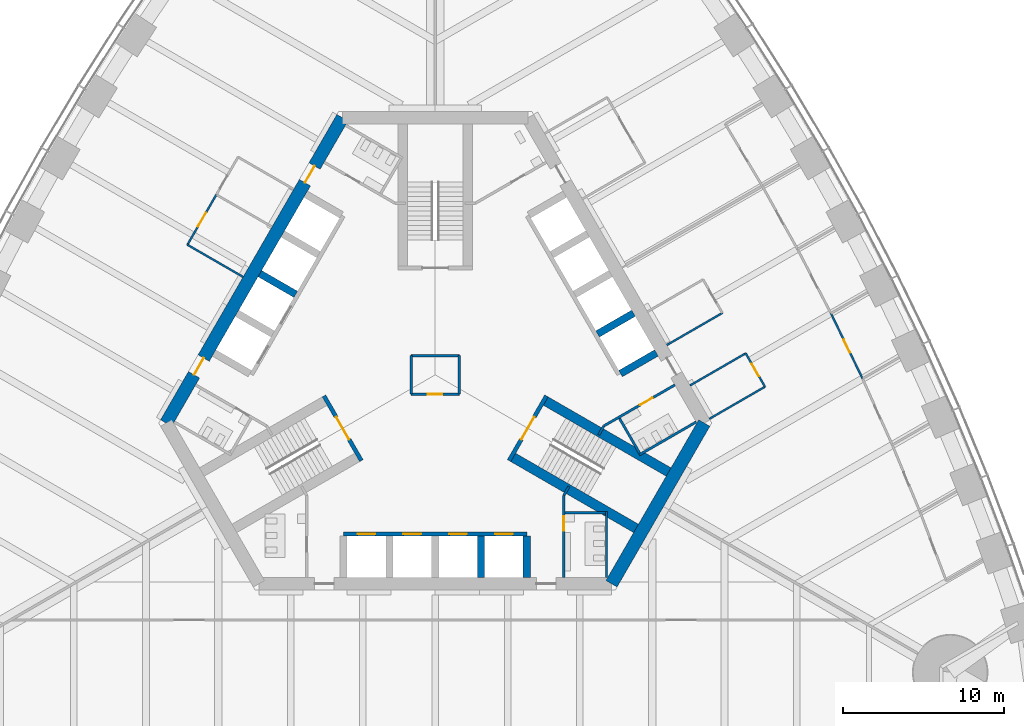
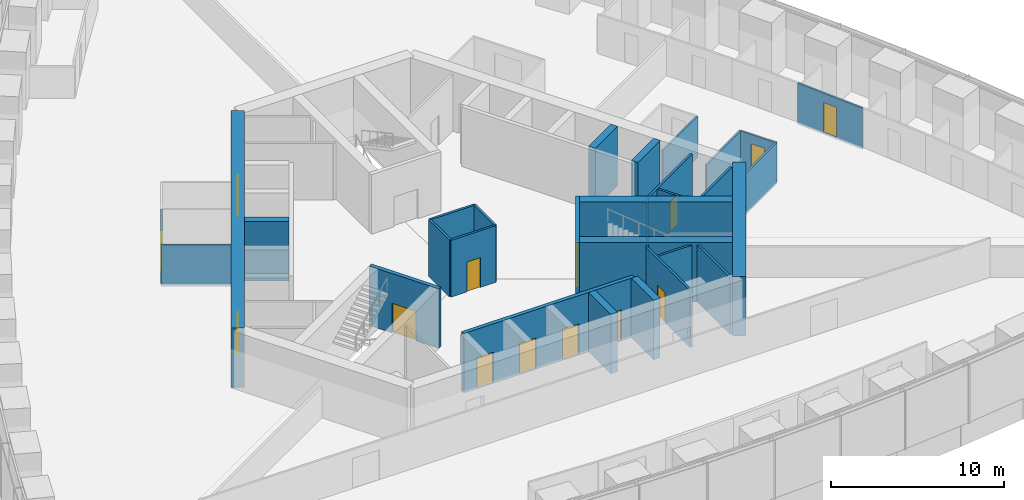
# One storey, part 11 of 19: 31 walls, 14 doors, 14 openings.
"""IFC4 building model written with IfcOpenShell, lengths in metres."""

from ifc_helpers import new_model, si_unit, direction, frame, frame_2d, origin, place, context, subcontext, project, spatial, rectangle, extrude, material, layer, layer_set, type_object, element, fill, save


model = new_model("IFC4")

# Units and contexts
model_context = context("Model", 3, precision=1e-05, world=origin(), true_north=direction((0.0, 1.0)))
body_context = subcontext(model_context, "Body", "Model", "MODEL_VIEW")
ifc_project = project(units=[si_unit("LENGTHUNIT", "METRE"), si_unit("AREAUNIT", "SQUARE_METRE"), si_unit("VOLUMEUNIT", "CUBIC_METRE"), si_unit("PLANEANGLEUNIT", "RADIAN"), si_unit("MASSUNIT", "GRAM", prefix="KILO")], contexts=[model_context])

# Site, building, storey
site_placement = place(None, origin())
site = spatial("IfcSite", under=ifc_project, at=site_placement, CompositionType="ELEMENT")
building_placement = place(site_placement, origin())
building = spatial("IfcBuilding", under=site, at=building_placement, Name="Trefoil Bronze Tower", CompositionType="ELEMENT")
storey_placement = place(building_placement, frame((0.0, 0.0, 83.699951171875)))
storey = spatial("IfcBuildingStorey", under=building, at=storey_placement, Name="L19", CompositionType="ELEMENT", Elevation=83.699951171875)

# Wall
ifc_material_1 = material(Name="Concrete B80", Category="concrete")
ifc_layer_1 = layer(ifc_material_1, 0.800048828125)
ifc_layer_set_1 = layer_set([ifc_layer_1], Name="Core wall 800")
wall_type_1 = type_object("IfcWallType", Name="Core wall 800", PredefinedType="SHEAR", material=ifc_layer_set_1)
wall_1_placement = place(storey_placement, frame((10.9697265625, -13.0, 0.0), z_axis=(0.0, 0.0, 1.0), x_axis=(0.499995765644, 0.866027848477, 0.0)))
element("IfcWall", 1, at=wall_1_placement, inside=storey, type_object=wall_type_1, Name="Core short wall 1 L19", PredefinedType="SHEAR", context=body_context, shape_type="SweptSolid", body=[
    extrude(rectangle(XDim=11.546875, YDim=0.800048828125, at=frame_2d((5.7734375, 0.0))), origin(), (0.0, 0.0, 1.0), 4.199951171875),
])

# Wall, openings, doors
wall_2_placement = place(storey_placement, frame((-5.7734375, 16.0, 0.0), z_axis=(0.0, 0.0, 1.0), x_axis=(-0.500002442456, -0.866023993627, 0.0)))
wall_2 = element("IfcWall", 2, at=wall_2_placement, inside=storey, type_object=wall_type_1, Name="Core long wall 3 L19", PredefinedType="SHEAR", context=body_context, shape_type="SweptSolid", body=[
    extrude(rectangle(XDim=21.939453125, YDim=0.800048828125, at=frame_2d((10.9697265625, 0.0))), origin(), (0.0, 0.0, 1.0), 4.199951171875),
])
opening_1_placement = place(wall_2_placement, frame((17.269775390625, 0.0, 0.0)))
opening_1 = element("IfcOpeningElement", 3, at=opening_1_placement, cuts=wall_2, Name="Opening D2", PredefinedType="OPENING", context=body_context, shape_type="SweptSolid", body=[
    extrude(rectangle(XDim=1.199951171875, YDim=2.10009765625, at=frame_2d((0.60009765625, 1.050048828125))), frame((0.0, 0.409912109375, 0.0), z_axis=(0.0, -1.0, 0.0), x_axis=(1.0, 0.0, 0.0)), (0.0, 0.0, 1.0), 0.820068359375),
])
opening_2_placement = place(wall_2_placement, frame((3.4697265625, 0.0, 0.0)))
opening_2 = element("IfcOpeningElement", 4, at=opening_2_placement, cuts=wall_2, Name="Opening D2", PredefinedType="OPENING", context=body_context, shape_type="SweptSolid", body=[
    extrude(rectangle(XDim=1.199951171875, YDim=2.10009765625, at=frame_2d((0.60009765625, 1.050048828125))), frame((0.0, 0.409912109375, 0.0), z_axis=(0.0, -1.0, 0.0), x_axis=(1.0, 0.0, 0.0)), (0.0, 0.0, 1.0), 0.820068359375),
])
ifc_material_2 = material(Name="Steel door", Category="steel")
door_type_1 = type_object("IfcDoorType", Name="Lobby door 1200", OperationType="SINGLE_SWING_RIGHT", PredefinedType="DOOR", material=ifc_material_2)
door_1_placement = place(opening_1_placement, origin())
door_1 = element("IfcDoor", 5, at=door_1_placement, inside=storey, type_object=door_type_1, Name="Lobby door F3+ L19", OperationType="SINGLE_SWING_RIGHT", OverallHeight=2.10009765625, OverallWidth=1.199951171875, PredefinedType="DOOR", context=body_context, shape_type="SweptSolid", body=[
    extrude(rectangle(XDim=1.199951171875, YDim=2.10009765625, at=frame_2d((0.60009765625, 1.050048828125))), frame((0.0, 0.02490234375, 0.0), z_axis=(0.0, -1.0, 0.0), x_axis=(1.0, 0.0, 0.0)), (0.0, 0.0, 1.0), 0.050048828125),
])
fill(opening_1, door_1)
door_2_placement = place(opening_2_placement, origin())
door_2 = element("IfcDoor", 6, at=door_2_placement, inside=storey, type_object=door_type_1, Name="Lobby door F3- L19", OperationType="SINGLE_SWING_LEFT", OverallHeight=2.10009765625, OverallWidth=1.199951171875, PredefinedType="DOOR", context=body_context, shape_type="SweptSolid", body=[
    extrude(rectangle(XDim=1.199951171875, YDim=2.10009765625, at=frame_2d((0.60009765625, 1.050048828125))), frame((0.0, 0.02490234375, 0.0), z_axis=(0.0, -1.0, 0.0), x_axis=(1.0, 0.0, 0.0)), (0.0, 0.0, 1.0), 0.050048828125),
])
fill(opening_2, door_2)

# Wall, opening, door
ifc_material_3 = material(Name="Glazed partition", Category="glass")
ifc_layer_2 = layer(ifc_material_3, 0.1201171875)
ifc_layer_set_2 = layer_set([ifc_layer_2], Name="Glazed partition 120")
wall_type_2 = type_object("IfcWallType", Name="Glazed partition 120", PredefinedType="PARTITIONING", material=ifc_layer_set_2)
wall_3_placement = place(storey_placement, frame((20.518798828125, -0.73974609375, 0.0), z_axis=(0.0, 0.0, 1.0), x_axis=(-0.499957262057, 0.866050077142, 0.0)))
wall_3 = element("IfcWall", 7, at=wall_3_placement, inside=storey, type_object=wall_type_2, Name="Partition F2 L19", PredefinedType="PARTITIONING", context=body_context, shape_type="SweptSolid", body=[
    extrude(rectangle(XDim=2.400146484375, YDim=0.1201171875, at=frame_2d((1.2001953125, 0.0))), origin(), (0.0, 0.0, 1.0), 2.900146484375),
])
opening_3_placement = place(wall_3_placement, frame((0.75, 0.0, 0.14990234375)))
opening_3 = element("IfcOpeningElement", 8, at=opening_3_placement, cuts=wall_3, Name="Opening D8", PredefinedType="OPENING", context=body_context, shape_type="SweptSolid", body=[
    extrude(rectangle(XDim=0.89990234375, YDim=2.10009765625, at=frame_2d((0.449951171875, 1.050048828125))), frame((0.0, 0.070068359375, 0.0), z_axis=(0.0, -1.0, 0.0), x_axis=(1.0, 0.0, 0.0)), (0.0, 0.0, 1.0), 0.14013671875),
])
ifc_material_4 = material(Name="Timber door", Category="wood")
door_type_2 = type_object("IfcDoorType", Name="Office door 900", OperationType="SINGLE_SWING_LEFT", PredefinedType="DOOR", material=ifc_material_4)
door_3_placement = place(opening_3_placement, origin())
door_3 = element("IfcDoor", 9, at=door_3_placement, inside=storey, type_object=door_type_2, Name="Print and store room door F2 L19", OperationType="SINGLE_SWING_RIGHT", OverallHeight=2.10009765625, OverallWidth=0.89990234375, PredefinedType="DOOR", context=body_context, shape_type="SweptSolid", body=[
    extrude(rectangle(XDim=0.89990234375, YDim=2.10009765625, at=frame_2d((0.449951171875, 1.050048828125))), frame((0.0, 0.02490234375, 0.0), z_axis=(0.0, -1.0, 0.0), x_axis=(1.0, 0.0, 0.0)), (0.0, 0.0, 1.0), 0.050048828125),
])
fill(opening_3, door_3)

# Walls
for number, where, z_axis, x_axis, name in (
    (10, (17.0546875, -2.73974609375, 0.0), (0.0, 0.0, 1.0), (0.866026010844, 0.49999894854, 0.0), "Partition F2 L19"),
    (11, (14.40478515625, 1.850341796875, 0.0), (0.0, 0.0, 1.0), (0.866026010844, 0.49999894854, 0.0), "Partition F2 L19"),
    (12, (15.854736328125, -0.6611328125, 0.0), (0.0, 0.0, 1.0), (0.866026010844, 0.49999894854, 0.0), "Partition F2 L19"),
):
    element("IfcWall", number, at=place(storey_placement, frame(where, z_axis=z_axis, x_axis=x_axis)), inside=storey, type_object=wall_type_2, Name=name, PredefinedType="PARTITIONING", context=body_context, shape_type="SweptSolid", body=[
        extrude(rectangle(XDim=4.0, YDim=0.1201171875, at=frame_2d((2.0, 0.0))), origin(), (0.0, 0.0, 1.0), 2.900146484375),
    ])

# Wall, opening, door
wall_4_placement = place(storey_placement, frame((26.590576171875, -0.236328125, 0.0), z_axis=(0.0, 0.0, 1.0), x_axis=(-0.435857917556, 0.900015486369, 0.0)))
wall_4 = element("IfcWall", 13, at=wall_4_placement, inside=storey, type_object=wall_type_2, Name="Partition F2 L19", PredefinedType="PARTITIONING", context=body_context, shape_type="SweptSolid", body=[
    extrude(rectangle(XDim=4.511962890625, YDim=0.1201171875, at=frame_2d((2.255859375, 0.0))), origin(), (0.0, 0.0, 1.0), 2.900146484375),
])
opening_4_placement = place(wall_4_placement, frame((1.800048828125, 0.0, 0.14990234375)))
opening_4 = element("IfcOpeningElement", 14, at=opening_4_placement, cuts=wall_4, Name="Opening D8", PredefinedType="OPENING", context=body_context, shape_type="SweptSolid", body=[
    extrude(rectangle(XDim=0.89990234375, YDim=2.10009765625, at=frame_2d((0.449951171875, 1.050048828125))), frame((0.0, 0.070068359375, 0.0), z_axis=(0.0, -1.0, 0.0), x_axis=(1.0, 0.0, 0.0)), (0.0, 0.0, 1.0), 0.14013671875),
])
door_4_placement = place(opening_4_placement, frame((0.89990234375, 0.0, 0.0), z_axis=(0.0, 0.0, 1.0), x_axis=(-1.0, 0.0, 0.0)))
door_4 = element("IfcDoor", 15, at=door_4_placement, inside=storey, type_object=door_type_2, Name="Office door F2 L19", OperationType="SINGLE_SWING_RIGHT", OverallHeight=2.10009765625, OverallWidth=0.89990234375, PredefinedType="DOOR", context=body_context, shape_type="SweptSolid", body=[
    extrude(rectangle(XDim=0.89990234375, YDim=2.10009765625, at=frame_2d((0.449951171875, 1.050048828125))), frame((0.0, 0.02490234375, 0.0), z_axis=(0.0, -1.0, 0.0), x_axis=(1.0, 0.0, 0.0)), (0.0, 0.0, 1.0), 0.050048828125),
])
fill(opening_4, door_4)

wall_5_placement = place(storey_placement, frame((-13.618896484375, 11.21142578125, 0.0), z_axis=(0.0, 0.0, 1.0), x_axis=(-0.500012057535, -0.866018442252, 0.0)))
wall_5 = element("IfcWall", 16, at=wall_5_placement, inside=storey, type_object=wall_type_2, Name="Partition F3 L19", PredefinedType="PARTITIONING", context=body_context, shape_type="SweptSolid", body=[
    extrude(rectangle(XDim=3.60009765625, YDim=0.1201171875, at=frame_2d((1.800048828125, 0.0))), origin(), (0.0, 0.0, 1.0), 2.900146484375),
])
opening_5_placement = place(wall_5_placement, frame((1.300048828125, 0.0, 0.14990234375)))
opening_5 = element("IfcOpeningElement", 17, at=opening_5_placement, cuts=wall_5, Name="Opening D9", PredefinedType="OPENING", context=body_context, shape_type="SweptSolid", body=[
    extrude(rectangle(XDim=1.0, YDim=2.10009765625, at=frame_2d((0.5, 1.050048828125))), frame((0.0, 0.070068359375, 0.0), z_axis=(0.0, -1.0, 0.0), x_axis=(1.0, 0.0, 0.0)), (0.0, 0.0, 1.0), 0.14013671875),
])
ifc_material_5 = material(Name="Glazed timber door", Category="wood")
door_type_3 = type_object("IfcDoorType", Name="Meeting room door 1000", OperationType="SINGLE_SWING_LEFT", PredefinedType="DOOR", material=ifc_material_5)
door_5_placement = place(opening_5_placement, origin())
door_5 = element("IfcDoor", 18, at=door_5_placement, inside=storey, type_object=door_type_3, Name="Meeting room door F3 L19", OperationType="SINGLE_SWING_LEFT", OverallHeight=2.10009765625, OverallWidth=1.0, PredefinedType="DOOR", context=body_context, shape_type="SweptSolid", body=[
    extrude(rectangle(XDim=1.0, YDim=2.10009765625, at=frame_2d((0.5, 1.050048828125))), frame((0.0, 0.02490234375, 0.0), z_axis=(0.0, -1.0, 0.0), x_axis=(1.0, 0.0, 0.0)), (0.0, 0.0, 1.0), 0.050048828125),
])
fill(opening_5, door_5)

# Walls
wall_6_placement = place(storey_placement, frame((-11.954833984375, 6.09375, 0.0), z_axis=(0.0, 0.0, 1.0), x_axis=(-0.866026010844, 0.49999894854, 0.0)))
element("IfcWall", 19, at=wall_6_placement, inside=storey, type_object=wall_type_2, Name="Partition F3 L19", PredefinedType="PARTITIONING", context=body_context, shape_type="SweptSolid", body=[
    extrude(rectangle(XDim=4.0, YDim=0.1201171875, at=frame_2d((2.0, 0.0))), origin(), (0.0, 0.0, 1.0), 2.900146484375),
])
ifc_material_6 = material(Name="Concrete B80", Category="concrete")
ifc_layer_3 = layer(ifc_material_6, 0.449951171875)
ifc_layer_set_3 = layer_set([ifc_layer_3], Name="Outrigger shaft wall 450")
wall_type_3 = type_object("IfcWallType", Name="Outrigger shaft wall 450", PredefinedType="SHEAR", material=ifc_layer_set_3)
for number, where, z_axis, x_axis, name in (
    (20, (2.85009765625, -10.02490234375, 0.0), (0.0, 0.0, 1.0), (0.0, -1.0, 0.0), "Lift shaft side wall A3 L19"),
    (21, (5.699951171875, -10.02490234375, 0.0), (0.0, 0.0, 1.0), (0.0, -1.0, 0.0), "Lift shaft side wall A4 L19"),
):
    element("IfcWall", number, at=place(storey_placement, frame(where, z_axis=z_axis, x_axis=x_axis)), inside=storey, type_object=wall_type_3, Name=name, PredefinedType="SHEAR", context=body_context, shape_type="SweptSolid", body=[
        extrude(rectangle(XDim=2.5751953125, YDim=0.449951171875, at=frame_2d((1.28759765625, 0.0))), origin(), (0.0, 0.0, 1.0), 4.199951171875),
    ])
for number, where, z_axis, x_axis, name in (
    (22, (11.531982421875, 0.076171875, 0.0), (0.0, 0.0, 1.0), (0.866005588531, 0.500034319456, 0.0), "Lift shaft side wall B0 L19"),
    (23, (10.10693359375, 2.54443359375, 0.0), (0.0, 0.0, 1.0), (0.866046643894, 0.499963209246, 0.0), "Lift shaft side wall B1 L19"),
    (24, (-8.681884765625, 5.012451171875, 0.0), (0.0, 0.0, 1.0), (-0.866005588531, 0.500034319456, 0.0), "Lift shaft side wall C2 L19"),
):
    element("IfcWall", number, at=place(storey_placement, frame(where, z_axis=z_axis, x_axis=x_axis)), inside=storey, type_object=wall_type_3, Name=name, PredefinedType="SHEAR", context=body_context, shape_type="SweptSolid", body=[
        extrude(rectangle(XDim=2.574951171875, YDim=0.449951171875, at=frame_2d((1.28759765625, 0.0))), origin(), (0.0, 0.0, 1.0), 4.199951171875),
    ])

# Wall, opening, door
ifc_material_7 = material(Name="Gypsum board on steel studs", Category="steel")
ifc_layer_4 = layer(ifc_material_7, 0.14990234375)
ifc_layer_set_4 = layer_set([ifc_layer_4], Name="Partition 150")
wall_type_4 = type_object("IfcWallType", Name="Partition 150", PredefinedType="PARTITIONING", material=ifc_layer_set_4)
wall_7_placement = place(storey_placement, frame((8.0, -7.5, 0.0), z_axis=(0.0, 0.0, 1.0), x_axis=(0.0, -1.0, 0.0)))
wall_7 = element("IfcWall", 25, at=wall_7_placement, inside=storey, type_object=wall_type_4, Name="Passage wall F1+ L19", PredefinedType="PARTITIONING", context=body_context, shape_type="SweptSolid", body=[
    extrude(rectangle(XDim=5.10009765625, YDim=0.14990234375, at=frame_2d((2.550048828125, 0.0))), origin(), (0.0, 0.0, 1.0), 4.0),
])
opening_6_placement = place(wall_7_placement, frame((1.300048828125, 0.0, 0.0)))
opening_6 = element("IfcOpeningElement", 26, at=opening_6_placement, cuts=wall_7, Name="Opening D3", PredefinedType="OPENING", context=body_context, shape_type="SweptSolid", body=[
    extrude(rectangle(XDim=0.89990234375, YDim=2.10009765625, at=frame_2d((0.449951171875, 1.050048828125))), frame((0.0, 0.0849609375, 0.0), z_axis=(0.0, -1.0, 0.0), x_axis=(1.0, 0.0, 0.0)), (0.0, 0.0, 1.0), 0.169921875),
])
ifc_material_8 = material(Name="Timber door", Category="wood")
door_type_4 = type_object("IfcDoorType", Name="WC door 900", OperationType="SINGLE_SWING_LEFT", PredefinedType="DOOR", material=ifc_material_8)
door_6_placement = place(opening_6_placement, origin())
door_6 = element("IfcDoor", 27, at=door_6_placement, inside=storey, type_object=door_type_4, Name="WC (men) door L19", OperationType="SINGLE_SWING_LEFT", OverallHeight=2.10009765625, OverallWidth=0.89990234375, PredefinedType="DOOR", context=body_context, shape_type="SweptSolid", body=[
    extrude(rectangle(XDim=0.89990234375, YDim=2.10009765625, at=frame_2d((0.449951171875, 1.050048828125))), frame((0.0, 0.02490234375, 0.0), z_axis=(0.0, -1.0, 0.0), x_axis=(1.0, 0.0, 0.0)), (0.0, 0.0, 1.0), 0.050048828125),
])
fill(opening_6, door_6)

wall_8_placement = place(storey_placement, frame((10.4951171875, -3.17822265625, 0.0), z_axis=(0.0, 0.0, 1.0), x_axis=(0.86602216432, 0.500005610874, 0.0)))
wall_8 = element("IfcWall", 28, at=wall_8_placement, inside=storey, type_object=wall_type_4, Name="Passage wall F2- L19", PredefinedType="PARTITIONING", context=body_context, shape_type="SweptSolid", body=[
    extrude(rectangle(XDim=5.10009765625, YDim=0.14990234375, at=frame_2d((2.550048828125, 0.0))), origin(), (0.0, 0.0, 1.0), 4.0),
])
opening_7_placement = place(wall_8_placement, frame((2.60009765625, 0.0, 0.0)))
opening_7 = element("IfcOpeningElement", 29, at=opening_7_placement, cuts=wall_8, Name="Opening D3", PredefinedType="OPENING", context=body_context, shape_type="SweptSolid", body=[
    extrude(rectangle(XDim=0.89990234375, YDim=2.10009765625, at=frame_2d((0.449951171875, 1.050048828125))), frame((0.0, 0.0849609375, 0.0), z_axis=(0.0, -1.0, 0.0), x_axis=(1.0, 0.0, 0.0)), (0.0, 0.0, 1.0), 0.169921875),
])
door_7_placement = place(opening_7_placement, frame((0.89990234375, 0.0, 0.0), z_axis=(0.0, 0.0, 1.0), x_axis=(-1.0, 0.0, 0.0)))
door_7 = element("IfcDoor", 30, at=door_7_placement, inside=storey, type_object=door_type_4, Name="WC (women) door L19", OperationType="SINGLE_SWING_RIGHT", OverallHeight=2.10009765625, OverallWidth=0.89990234375, PredefinedType="DOOR", context=body_context, shape_type="SweptSolid", body=[
    extrude(rectangle(XDim=0.89990234375, YDim=2.10009765625, at=frame_2d((0.449951171875, 1.050048828125))), frame((0.0, 0.02490234375, 0.0), z_axis=(0.0, -1.0, 0.0), x_axis=(1.0, 0.0, 0.0)), (0.0, 0.0, 1.0), 0.050048828125),
])
fill(opening_7, door_7)

# Walls
for number, where, z_axis, x_axis, name in (
    (31, (8.0, -7.5, 0.0), (0.0, 0.0, 1.0), (0.499842556608, 0.866116284689, 0.0), "WC wall ST1-1 L19"),
    (32, (10.4951171875, -3.17822265625, 0.0), (0.0, 0.0, 1.0), (-0.499842556608, -0.866116284689, 0.0), "WC wall ST1+1 L19"),
):
    element("IfcWall", number, at=place(storey_placement, frame(where, z_axis=z_axis, x_axis=x_axis)), inside=storey, type_object=wall_type_4, Name=name, PredefinedType="PARTITIONING", context=body_context, shape_type="SweptSolid", body=[
        extrude(rectangle(XDim=0.645263671875, YDim=0.14990234375, at=frame_2d((0.32275390625, 0.0))), origin(), (0.0, 0.0, 1.0), 4.0),
    ])
wall_9_placement = place(storey_placement, frame((10.659912109375, -8.5, 0.0), z_axis=(0.0, 0.0, 1.0), x_axis=(0.0, -1.0, 0.0)))
element("IfcWall", 33, at=wall_9_placement, inside=storey, type_object=wall_type_4, Name="WC partition WC (men) L19", PredefinedType="PARTITIONING", context=body_context, shape_type="SweptSolid", body=[
    extrude(rectangle(XDim=4.10009765625, YDim=0.14990234375, at=frame_2d((2.050048828125, 0.0))), origin(), (0.0, 0.0, 1.0), 4.0),
])
wall_10_placement = place(storey_placement, frame((8.074951171875, -8.574951171875, 0.0), z_axis=(0.0, 0.0, 1.0), x_axis=(1.0, 0.0, 0.0)))
element("IfcWall", 34, at=wall_10_placement, inside=storey, type_object=wall_type_4, Name="WC partition WC (men) L19", PredefinedType="PARTITIONING", context=body_context, shape_type="SweptSolid", body=[
    extrude(rectangle(XDim=2.510009765625, YDim=0.14990234375, at=frame_2d((1.2548828125, 0.0))), origin(), (0.0, 0.0, 1.0), 4.0),
])
wall_11_placement = place(storey_placement, frame((12.691162109375, -4.98193359375, 0.0), z_axis=(0.0, 0.0, 1.0), x_axis=(0.8660249478, 0.500000789788, 0.0)))
element("IfcWall", 35, at=wall_11_placement, inside=storey, type_object=wall_type_4, Name="WC partition WC (women) L19", PredefinedType="PARTITIONING", context=body_context, shape_type="SweptSolid", body=[
    extrude(rectangle(XDim=4.10009765625, YDim=0.14990234375, at=frame_2d((2.050048828125, 0.0))), origin(), (0.0, 0.0, 1.0), 4.0),
])
wall_12_placement = place(storey_placement, frame((11.463623046875, -2.70556640625, 0.0), z_axis=(0.0, 0.0, 1.0), x_axis=(0.50001992892, -0.866013897511, 0.0)))
element("IfcWall", 36, at=wall_12_placement, inside=storey, type_object=wall_type_4, Name="WC partition WC (women) L19", PredefinedType="PARTITIONING", context=body_context, shape_type="SweptSolid", body=[
    extrude(rectangle(XDim=2.51025390625, YDim=0.14990234375, at=frame_2d((1.255126953125, 0.0))), origin(), (0.0, 0.0, 1.0), 4.0),
])

# Wall, opening, door
ifc_material_9 = material(Name="Gypsum board on steel studs", Category="steel")
ifc_layer_5 = layer(ifc_material_9, 0.14990234375)
ifc_layer_set_5 = layer_set([ifc_layer_5], Name="Riser wall 150")
wall_type_5 = type_object("IfcWallType", Name="Riser wall 150", PredefinedType="PARTITIONING", material=ifc_layer_set_5)
wall_13_placement = place(storey_placement, frame((-1.5, -1.199951171875, 0.0), z_axis=(0.0, 0.0, 1.0), x_axis=(1.0, 0.0, 0.0)))
wall_13 = element("IfcWall", 37, at=wall_13_placement, inside=storey, type_object=wall_type_5, Name="Riser wall L19", PredefinedType="PARTITIONING", context=body_context, shape_type="SweptSolid", body=[
    extrude(rectangle(XDim=3.0, YDim=0.14990234375, at=frame_2d((1.5, 0.0))), origin(), (0.0, 0.0, 1.0), 4.0),
])
opening_8_placement = place(wall_13_placement, frame((1.050048828125, 0.0, 0.0)))
opening_8 = element("IfcOpeningElement", 38, at=opening_8_placement, cuts=wall_13, Name="Opening D4", PredefinedType="OPENING", context=body_context, shape_type="SweptSolid", body=[
    extrude(rectangle(XDim=0.89990234375, YDim=2.10009765625, at=frame_2d((0.449951171875, 1.050048828125))), frame((0.0, 0.0849609375, 0.0), z_axis=(0.0, -1.0, 0.0), x_axis=(1.0, 0.0, 0.0)), (0.0, 0.0, 1.0), 0.169921875),
])
ifc_material_10 = material(Name="Steel door", Category="steel")
door_type_5 = type_object("IfcDoorType", Name="Riser door 900", OperationType="SINGLE_SWING_LEFT", PredefinedType="DOOR", material=ifc_material_10)
door_8_placement = place(opening_8_placement, frame((0.89990234375, 0.0, 0.0), z_axis=(0.0, 0.0, 1.0), x_axis=(-1.0, 0.0, 0.0)))
door_8 = element("IfcDoor", 39, at=door_8_placement, inside=storey, type_object=door_type_5, Name="Riser door L19", OperationType="SINGLE_SWING_LEFT", OverallHeight=2.10009765625, OverallWidth=0.89990234375, PredefinedType="DOOR", context=body_context, shape_type="SweptSolid", body=[
    extrude(rectangle(XDim=0.89990234375, YDim=2.10009765625, at=frame_2d((0.449951171875, 1.050048828125))), frame((0.0, 0.02490234375, 0.0), z_axis=(0.0, -1.0, 0.0), x_axis=(1.0, 0.0, 0.0)), (0.0, 0.0, 1.0), 0.050048828125),
])
fill(opening_8, door_8)

# Walls
wall_14_placement = place(storey_placement, frame((1.5, -1.199951171875, 0.0), z_axis=(0.0, 0.0, 1.0), x_axis=(0.0, 1.0, 0.0)))
element("IfcWall", 40, at=wall_14_placement, inside=storey, type_object=wall_type_5, Name="Riser wall L19", PredefinedType="PARTITIONING", context=body_context, shape_type="SweptSolid", body=[
    extrude(rectangle(XDim=2.39990234375, YDim=0.14990234375, at=frame_2d((1.199951171875, 0.0))), origin(), (0.0, 0.0, 1.0), 4.0),
])
wall_15_placement = place(storey_placement, frame((1.5, 1.199951171875, 0.0), z_axis=(0.0, 0.0, 1.0), x_axis=(-1.0, 0.0, 0.0)))
element("IfcWall", 41, at=wall_15_placement, inside=storey, type_object=wall_type_5, Name="Riser wall L19", PredefinedType="PARTITIONING", context=body_context, shape_type="SweptSolid", body=[
    extrude(rectangle(XDim=3.0, YDim=0.14990234375, at=frame_2d((1.5, 0.0))), origin(), (0.0, 0.0, 1.0), 4.0),
])
wall_16_placement = place(storey_placement, frame((-1.5, 1.199951171875, 0.0), z_axis=(0.0, 0.0, 1.0), x_axis=(0.0, -1.0, 0.0)))
element("IfcWall", 42, at=wall_16_placement, inside=storey, type_object=wall_type_5, Name="Riser wall L19", PredefinedType="PARTITIONING", context=body_context, shape_type="SweptSolid", body=[
    extrude(rectangle(XDim=2.39990234375, YDim=0.14990234375, at=frame_2d((1.199951171875, 0.0))), origin(), (0.0, 0.0, 1.0), 4.0),
])

# Wall, openings, doors
ifc_material_11 = material(Name="Concrete B80", Category="concrete")
ifc_layer_6 = layer(ifc_material_11, 0.25)
ifc_layer_set_6 = layer_set([ifc_layer_6], Name="Shaft wall 250")
wall_type_6 = type_object("IfcWallType", Name="Shaft wall 250", PredefinedType="SHEAR", material=ifc_layer_set_6)
wall_17_placement = place(storey_placement, frame((-5.699951171875, -9.89990234375, 0.0), z_axis=(0.0, 0.0, 1.0), x_axis=(1.0, 0.0, 0.0)))
wall_17 = element("IfcWall", 43, at=wall_17_placement, inside=storey, type_object=wall_type_6, Name="Lift shaft front wall A L19", PredefinedType="SHEAR", context=body_context, shape_type="SweptSolid", body=[
    extrude(rectangle(XDim=11.39990234375, YDim=0.25, at=frame_2d((5.699951171875, 0.0))), origin(), (0.0, 0.0, 1.0), 4.199951171875),
])
opening_9_placement = place(wall_17_placement, frame((0.875, 0.0, 0.0)))
opening_9 = element("IfcOpeningElement", 44, at=opening_9_placement, cuts=wall_17, Name="Opening LD-P11", PredefinedType="OPENING", context=body_context, shape_type="SweptSolid", body=[
    extrude(rectangle(XDim=1.10009765625, YDim=2.199951171875, at=frame_2d((0.550048828125, 1.10009765625))), frame((0.0, 0.135009765625, 0.0), z_axis=(0.0, -1.0, 0.0), x_axis=(1.0, 0.0, 0.0)), (0.0, 0.0, 1.0), 0.27001953125),
])
opening_10_placement = place(wall_17_placement, frame((3.72509765625, 0.0, 0.0)))
opening_10 = element("IfcOpeningElement", 45, at=opening_10_placement, cuts=wall_17, Name="Opening LD-P12", PredefinedType="OPENING", context=body_context, shape_type="SweptSolid", body=[
    extrude(rectangle(XDim=1.10009765625, YDim=2.199951171875, at=frame_2d((0.550048828125, 1.10009765625))), frame((0.0, 0.135009765625, 0.0), z_axis=(0.0, -1.0, 0.0), x_axis=(1.0, 0.0, 0.0)), (0.0, 0.0, 1.0), 0.27001953125),
])
opening_11_placement = place(wall_17_placement, frame((6.574951171875, 0.0, 0.0)))
opening_11 = element("IfcOpeningElement", 46, at=opening_11_placement, cuts=wall_17, Name="Opening LD-P13", PredefinedType="OPENING", context=body_context, shape_type="SweptSolid", body=[
    extrude(rectangle(XDim=1.10009765625, YDim=2.199951171875, at=frame_2d((0.550048828125, 1.10009765625))), frame((0.0, 0.135009765625, 0.0), z_axis=(0.0, -1.0, 0.0), x_axis=(1.0, 0.0, 0.0)), (0.0, 0.0, 1.0), 0.27001953125),
])
opening_12_placement = place(wall_17_placement, frame((9.425048828125, 0.0, 0.0)))
opening_12 = element("IfcOpeningElement", 47, at=opening_12_placement, cuts=wall_17, Name="Opening LD-P14", PredefinedType="OPENING", context=body_context, shape_type="SweptSolid", body=[
    extrude(rectangle(XDim=1.10009765625, YDim=2.199951171875, at=frame_2d((0.550048828125, 1.10009765625))), frame((0.0, 0.135009765625, 0.0), z_axis=(0.0, -1.0, 0.0), x_axis=(1.0, 0.0, 0.0)), (0.0, 0.0, 1.0), 0.27001953125),
])
ifc_material_12 = material(Name="Steel door", Category="steel")
door_type_6 = type_object("IfcDoorType", Name="Lift landing door 1100", OperationType="DOUBLE_DOOR_SLIDING", PredefinedType="DOOR", material=ifc_material_12)
door_9_placement = place(opening_9_placement, origin())
door_9 = element("IfcDoor", 48, at=door_9_placement, inside=storey, type_object=door_type_6, Name="Lift P11 landing door L19", OperationType="DOUBLE_DOOR_SLIDING", OverallHeight=2.199951171875, OverallWidth=1.10009765625, PredefinedType="DOOR", context=body_context, shape_type="SweptSolid", body=[
    extrude(rectangle(XDim=1.10009765625, YDim=2.199951171875, at=frame_2d((0.550048828125, 1.10009765625))), frame((0.0, 0.02490234375, 0.0), z_axis=(0.0, -1.0, 0.0), x_axis=(1.0, 0.0, 0.0)), (0.0, 0.0, 1.0), 0.050048828125),
])
fill(opening_9, door_9)
door_10_placement = place(opening_10_placement, origin())
door_10 = element("IfcDoor", 49, at=door_10_placement, inside=storey, type_object=door_type_6, Name="Lift P12 landing door L19", OperationType="DOUBLE_DOOR_SLIDING", OverallHeight=2.199951171875, OverallWidth=1.10009765625, PredefinedType="DOOR", context=body_context, shape_type="SweptSolid", body=[
    extrude(rectangle(XDim=1.10009765625, YDim=2.199951171875, at=frame_2d((0.550048828125, 1.10009765625))), frame((0.0, 0.02490234375, 0.0), z_axis=(0.0, -1.0, 0.0), x_axis=(1.0, 0.0, 0.0)), (0.0, 0.0, 1.0), 0.050048828125),
])
fill(opening_10, door_10)
door_11_placement = place(opening_11_placement, origin())
door_11 = element("IfcDoor", 50, at=door_11_placement, inside=storey, type_object=door_type_6, Name="Lift P13 landing door L19", OperationType="DOUBLE_DOOR_SLIDING", OverallHeight=2.199951171875, OverallWidth=1.10009765625, PredefinedType="DOOR", context=body_context, shape_type="SweptSolid", body=[
    extrude(rectangle(XDim=1.10009765625, YDim=2.199951171875, at=frame_2d((0.550048828125, 1.10009765625))), frame((0.0, 0.02490234375, 0.0), z_axis=(0.0, -1.0, 0.0), x_axis=(1.0, 0.0, 0.0)), (0.0, 0.0, 1.0), 0.050048828125),
])
fill(opening_11, door_11)
door_12_placement = place(opening_12_placement, origin())
door_12 = element("IfcDoor", 51, at=door_12_placement, inside=storey, type_object=door_type_6, Name="Lift P14 landing door L19", OperationType="DOUBLE_DOOR_SLIDING", OverallHeight=2.199951171875, OverallWidth=1.10009765625, PredefinedType="DOOR", context=body_context, shape_type="SweptSolid", body=[
    extrude(rectangle(XDim=1.10009765625, YDim=2.199951171875, at=frame_2d((0.550048828125, 1.10009765625))), frame((0.0, 0.02490234375, 0.0), z_axis=(0.0, -1.0, 0.0), x_axis=(1.0, 0.0, 0.0)), (0.0, 0.0, 1.0), 0.050048828125),
])
fill(opening_12, door_12)

# Wall, opening, door
wall_18_placement = place(storey_placement, frame((4.5966796875, -5.338623046875, 0.0), z_axis=(0.0, 0.0, 1.0), x_axis=(0.499984536904, 0.866034331223, 0.0)))
wall_18 = element("IfcWall", 52, at=wall_18_placement, inside=storey, type_object=wall_type_6, Name="Stair end wall ST1 L19", PredefinedType="SHEAR", context=body_context, shape_type="SweptSolid", body=[
    extrude(rectangle(XDim=4.650146484375, YDim=0.25, at=frame_2d((2.3251953125, 0.0))), origin(), (0.0, 0.0, 1.0), 4.199951171875),
])
opening_13_placement = place(wall_18_placement, frame((1.52490234375, 0.0, 0.0)))
opening_13 = element("IfcOpeningElement", 53, at=opening_13_placement, cuts=wall_18, Name="Opening D1", PredefinedType="OPENING", context=body_context, shape_type="SweptSolid", body=[
    extrude(rectangle(XDim=1.60009765625, YDim=2.10009765625, at=frame_2d((0.800048828125, 1.050048828125))), frame((0.0, 0.135009765625, 0.0), z_axis=(0.0, -1.0, 0.0), x_axis=(1.0, 0.0, 0.0)), (0.0, 0.0, 1.0), 0.27001953125),
])
ifc_material_13 = material(Name="Steel door", Category="steel")
door_type_7 = type_object("IfcDoorType", Name="Stair door 1600", OperationType="DOUBLE_DOOR_SINGLE_SWING", PredefinedType="DOOR", material=ifc_material_13)
door_13_placement = place(opening_13_placement, frame((1.60009765625, 0.0, 0.0), z_axis=(0.0, 0.0, 1.0), x_axis=(-1.0, 0.0, 0.0)))
door_13 = element("IfcDoor", 54, at=door_13_placement, inside=storey, type_object=door_type_7, Name="Stair door ST1 L19", OperationType="DOUBLE_DOOR_SINGLE_SWING", OverallHeight=2.10009765625, OverallWidth=1.60009765625, PredefinedType="DOOR", context=body_context, shape_type="SweptSolid", body=[
    extrude(rectangle(XDim=1.60009765625, YDim=2.10009765625, at=frame_2d((0.800048828125, 1.050048828125))), frame((0.0, 0.02490234375, 0.0), z_axis=(0.0, -1.0, 0.0), x_axis=(1.0, 0.0, 0.0)), (0.0, 0.0, 1.0), 0.050048828125),
])
fill(opening_13, door_13)

wall_19_placement = place(storey_placement, frame((-6.921630859375, -1.3115234375, 0.0), z_axis=(0.0, 0.0, 1.0), x_axis=(0.499984536904, -0.866034331223, 0.0)))
wall_19 = element("IfcWall", 55, at=wall_19_placement, inside=storey, type_object=wall_type_6, Name="Stair end wall ST3 L19", PredefinedType="SHEAR", context=body_context, shape_type="SweptSolid", body=[
    extrude(rectangle(XDim=4.650146484375, YDim=0.25, at=frame_2d((2.3251953125, 0.0))), origin(), (0.0, 0.0, 1.0), 4.199951171875),
])
opening_14_placement = place(wall_19_placement, frame((1.52490234375, 0.0, 0.0)))
opening_14 = element("IfcOpeningElement", 56, at=opening_14_placement, cuts=wall_19, Name="Opening D1", PredefinedType="OPENING", context=body_context, shape_type="SweptSolid", body=[
    extrude(rectangle(XDim=1.60009765625, YDim=2.10009765625, at=frame_2d((0.800048828125, 1.050048828125))), frame((0.0, 0.135009765625, 0.0), z_axis=(0.0, -1.0, 0.0), x_axis=(1.0, 0.0, 0.0)), (0.0, 0.0, 1.0), 0.27001953125),
])
door_14_placement = place(opening_14_placement, frame((1.60009765625, 0.0, 0.0), z_axis=(0.0, 0.0, 1.0), x_axis=(-1.0, 0.0, 0.0)))
door_14 = element("IfcDoor", 57, at=door_14_placement, inside=storey, type_object=door_type_7, Name="Stair door ST3 L19", OperationType="DOUBLE_DOOR_SINGLE_SWING", OverallHeight=2.10009765625, OverallWidth=1.60009765625, PredefinedType="DOOR", context=body_context, shape_type="SweptSolid", body=[
    extrude(rectangle(XDim=1.60009765625, YDim=2.10009765625, at=frame_2d((0.800048828125, 1.050048828125))), frame((0.0, 0.02490234375, 0.0), z_axis=(0.0, -1.0, 0.0), x_axis=(1.0, 0.0, 0.0)), (0.0, 0.0, 1.0), 0.050048828125),
])
fill(opening_14, door_14)

# Walls
ifc_material_14 = material(Name="Concrete B80", Category="concrete")
ifc_layer_7 = layer(ifc_material_14, 0.60009765625)
ifc_layer_set_7 = layer_set([ifc_layer_7], Name="Stair wall 600")
wall_type_7 = type_object("IfcWallType", Name="Stair wall 600", PredefinedType="SHEAR", material=ifc_layer_set_7)
for number, where, z_axis, x_axis, name in (
    (58, (4.638427734375, -5.01611328125, 0.0), (0.0, 0.0, 1.0), (0.866019375473, -0.500010441196, 0.0), "Stair wall ST1 L19"),
    (59, (6.663330078125, -1.5087890625, 0.0), (0.0, 0.0, 1.0), (0.866019375473, -0.500010441196, 0.0), "Stair wall ST1 L19"),
):
    element("IfcWall", number, at=place(storey_placement, frame(where, z_axis=z_axis, x_axis=x_axis)), inside=storey, type_object=wall_type_7, Name=name, PredefinedType="SHEAR", context=body_context, shape_type="SweptSolid", body=[
        extrude(rectangle(XDim=9.074951171875, YDim=0.60009765625, at=frame_2d((4.53759765625, 0.0))), origin(), (0.0, 0.0, 1.0), 4.199951171875),
    ])

save(model, "model.ifc")
